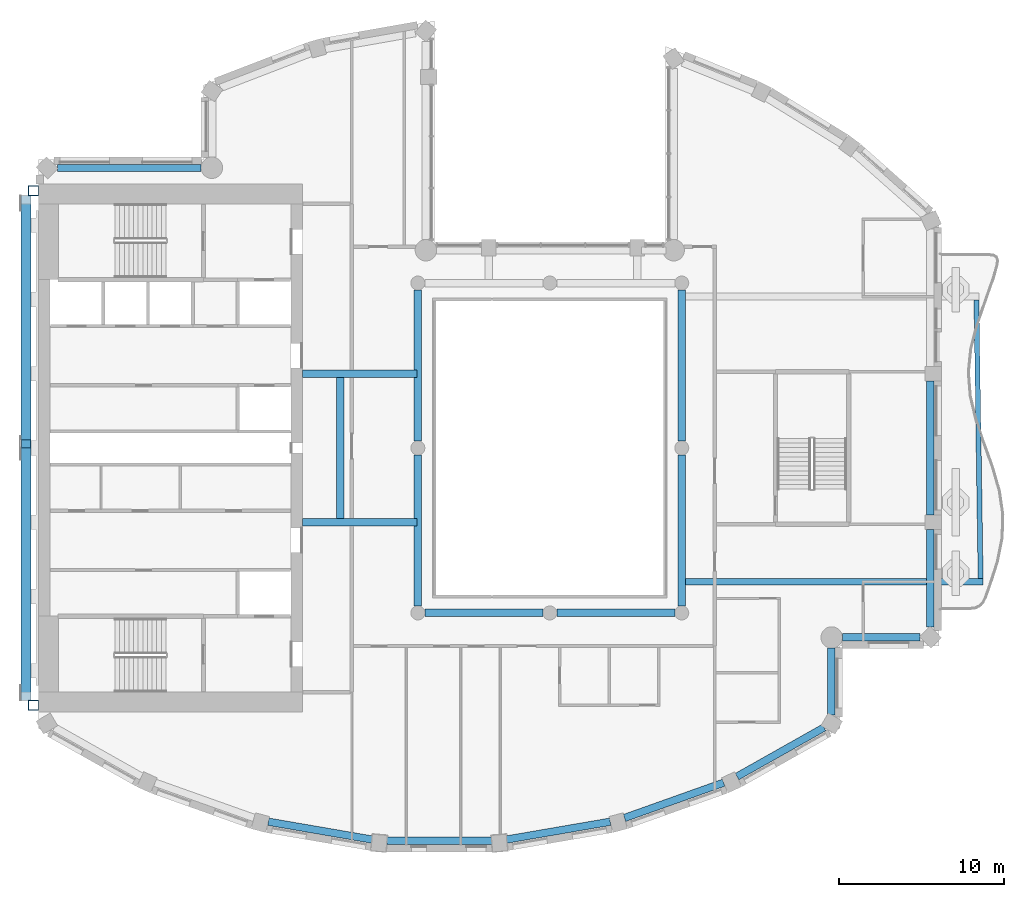
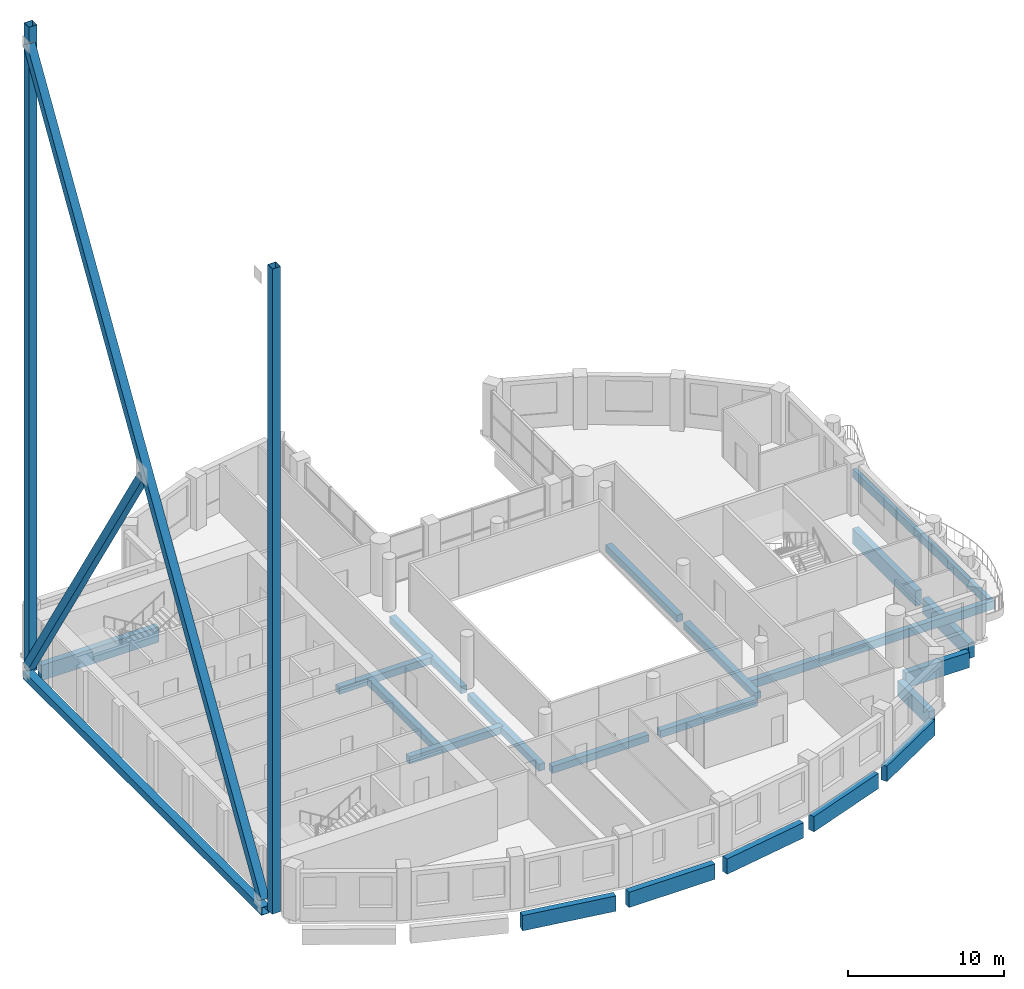
# One storey, part 2 of 18: 21 beams, 5 members.
"""IFC4 building model written with IfcOpenShell, lengths in metres."""

from ifc_helpers import new_model, si_unit, direction, frame, origin, origin_2d, place, context, subcontext, project, spatial, rectangle, hollow_rectangle, extrude, material, material_profile, profile_set, type_object, element, save


model = new_model("IFC4")

# Units and contexts
model_context = context("Model", 3, precision=1e-05, world=origin(), true_north=direction((0.0, 1.0)))
body_context = subcontext(model_context, "Body", "Model", "MODEL_VIEW")
ifc_project = project(units=[si_unit("LENGTHUNIT", "METRE"), si_unit("AREAUNIT", "SQUARE_METRE"), si_unit("VOLUMEUNIT", "CUBIC_METRE"), si_unit("PLANEANGLEUNIT", "RADIAN"), si_unit("MASSUNIT", "GRAM", prefix="KILO")], contexts=[model_context])

# Site, building, storey
site_placement = place(None, origin())
site = spatial("IfcSite", under=ifc_project, at=site_placement, CompositionType="ELEMENT")
building_placement = place(site_placement, origin())
building = spatial("IfcBuilding", under=site, at=building_placement, Name="Cypress Arch Tower", CompositionType="ELEMENT")
storey_placement = place(building_placement, frame((0.0, 0.0, 288.5)))
storey = spatial("IfcBuildingStorey", under=building, at=storey_placement, Name="L65", CompositionType="ELEMENT", Elevation=288.5)

# Beams
ifc_material_1 = material(Name="Concrete C50/60", Category="concrete")
ifc_material_profile_1 = material_profile(ifc_material_1, rectangle(XDim=0.300048828125, YDim=0.64990234375, at=origin_2d()), Name="RC 300x650")
ifc_profile_set_1 = profile_set([ifc_material_profile_1], Name="Concrete C50/60")
beam_type_1 = type_object("IfcBeamType", Name="Balcony edge beam RC 300x650 Concrete C50/60", PredefinedType="BEAM", material=ifc_profile_set_1)
beam_1_placement = place(storey_placement, frame((27.117431640625, -7.89990234375, -0.625), z_axis=(-0.015037850532, 0.999886925133, 0.0), x_axis=(-0.999886925133, -0.015037850532, 0.0)))
element("IfcBeam", 1, at=beam_1_placement, inside=storey, type_object=beam_type_1, Name="Balcony edge beam L65 C17", PredefinedType="BEAM", context=body_context, shape_type="SweptSolid", body=[
    extrude(rectangle(XDim=0.300048828125, YDim=0.64990234375, at=origin_2d()), origin(), (0.0, 0.0, 1.0), 16.884521484375),
])
ifc_material_2 = material(Name="Concrete C50/60", Category="concrete")
ifc_material_profile_2 = material_profile(ifc_material_2, rectangle(XDim=0.39990234375, YDim=0.64990234375, at=origin_2d()), Name="RC 400x650")
ifc_profile_set_2 = profile_set([ifc_material_profile_2], Name="Concrete C50/60")
beam_type_2 = type_object("IfcBeamType", Name="Cantilever beam RC 400x650 Concrete C50/60", PredefinedType="BEAM", material=ifc_profile_set_2)
beam_2_placement = place(storey_placement, frame((9.22509765625, -8.10009765625, -0.625), z_axis=(1.0, 0.0, 0.0), x_axis=(0.0, 1.0, 0.0)))
element("IfcBeam", 2, at=beam_2_placement, inside=storey, type_object=beam_type_2, Name="Cantilever beam L65 C17 1", PredefinedType="BEAM", context=body_context, shape_type="SweptSolid", body=[
    extrude(rectangle(XDim=0.39990234375, YDim=0.64990234375, at=origin_2d()), origin(), (0.0, 0.0, 1.0), 18.04248046875),
])
ifc_material_3 = material(Name="Concrete C50/60", Category="concrete")
ifc_material_profile_3 = material_profile(ifc_material_3, rectangle(XDim=0.449951171875, YDim=0.550048828125, at=origin_2d()), Name="RC 450x550")
ifc_profile_set_3 = profile_set([ifc_material_profile_3], Name="Concrete C50/60")
beam_type_3 = type_object("IfcBeamType", Name="Floor beam RC 450x550 Concrete C50/60", PredefinedType="BEAM", material=ifc_profile_set_3)
for number, where, z_axis, x_axis, name in (
    (3, (-7.0, -9.574951171875, -0.574951171875), (0.0, 1.0, 0.0), (-1.0, 0.0, 0.0), "Floor beam L65 RB001"),
    (4, (-7.0, 0.425048828125, -0.574951171875), (0.0, 1.0, 0.0), (-1.0, 0.0, 0.0), "Floor beam L65 RB002"),
    (5, (9.0, -9.574951171875, -0.574951171875), (0.0, 1.0, 0.0), (-1.0, 0.0, 0.0), "Floor beam L65 RB003"),
    (6, (9.0, 0.425048828125, -0.574951171875), (0.0, 1.0, 0.0), (-1.0, 0.0, 0.0), "Floor beam L65 RB004"),
):
    element("IfcBeam", number, at=place(storey_placement, frame(where, z_axis=z_axis, x_axis=x_axis)), inside=storey, type_object=beam_type_3, Name=name, PredefinedType="BEAM", context=body_context, shape_type="SweptSolid", body=[
        extrude(rectangle(XDim=0.449951171875, YDim=0.550048828125, at=origin_2d()), origin(), (0.0, 0.0, 1.0), 9.14990234375),
    ])
for number, where, z_axis, x_axis, name in (
    (7, (-6.574951171875, -10.0, -0.574951171875), (1.0, 0.0, 0.0), (0.0, 1.0, 0.0), "Floor beam L65 RB005"),
    (8, (1.425048828125, -10.0, -0.574951171875), (1.0, 0.0, 0.0), (0.0, 1.0, 0.0), "Floor beam L65 RB006"),
):
    element("IfcBeam", number, at=place(storey_placement, frame(where, z_axis=z_axis, x_axis=x_axis)), inside=storey, type_object=beam_type_3, Name=name, PredefinedType="BEAM", context=body_context, shape_type="SweptSolid", body=[
        extrude(rectangle(XDim=0.449951171875, YDim=0.550048828125, at=origin_2d()), origin(), (0.0, 0.0, 1.0), 7.14990234375),
    ])
for number, where, z_axis, x_axis, name in (
    (9, (-14.0, -4.5, -0.574951171875), (1.0, 0.0, 0.0), (0.0, 1.0, 0.0), "Floor beam L65 FB009"),
    (10, (-14.0, 4.5, -0.574951171875), (1.0, 0.0, 0.0), (0.0, 1.0, 0.0), "Floor beam L65 FB010"),
):
    element("IfcBeam", number, at=place(storey_placement, frame(where, z_axis=z_axis, x_axis=x_axis)), inside=storey, type_object=beam_type_3, Name=name, PredefinedType="BEAM", context=body_context, shape_type="SweptSolid", body=[
        extrude(rectangle(XDim=0.449951171875, YDim=0.550048828125, at=origin_2d()), origin(), (0.0, 0.0, 1.0), 6.949951171875),
    ])
beam_3_placement = place(storey_placement, frame((-11.699951171875, -4.27490234375, -0.574951171875), z_axis=(0.0, 1.0, 0.0), x_axis=(-1.0, 0.0, 0.0)))
element("IfcBeam", 11, at=beam_3_placement, inside=storey, type_object=beam_type_3, Name="Floor beam L65 FB011", PredefinedType="BEAM", context=body_context, shape_type="SweptSolid", body=[
    extrude(rectangle(XDim=0.449951171875, YDim=0.550048828125, at=origin_2d()), origin(), (0.0, 0.0, 1.0), 8.5498046875),
])
ifc_material_4 = material(Name="Concrete C50/60", Category="concrete")
ifc_material_profile_4 = material_profile(ifc_material_4, rectangle(XDim=0.449951171875, YDim=1.199951171875, at=origin_2d()), Name="RC 450x1200")
ifc_profile_set_4 = profile_set([ifc_material_profile_4], Name="Concrete C50/60")
beam_type_4 = type_object("IfcBeamType", Name="Spandrel beam RC 450x1200 Concrete C50/60", PredefinedType="SPANDREL", material=ifc_profile_set_4)
beam_4_placement = place(storey_placement, frame((-20.137451171875, 16.97509765625, -1.550048828125), z_axis=(-1.0, 0.0, 0.0), x_axis=(0.0, -1.0, 0.0)))
element("IfcBeam", 12, at=beam_4_placement, inside=storey, type_object=beam_type_4, Name="Spandrel beam L65 BC06-0", PredefinedType="SPANDREL", context=body_context, shape_type="SweptSolid", body=[
    extrude(rectangle(XDim=0.449951171875, YDim=1.199951171875, at=origin_2d()), origin(), (0.0, 0.0, 1.0), 8.701171875),
])
beam_5_placement = place(storey_placement, frame((-16.061279296875, -22.656982421875, -1.550048828125), z_axis=(0.985502990778, -0.169658053646, 0.0), x_axis=(0.169658053646, 0.985502990778, 0.0)))
element("IfcBeam", 13, at=beam_5_placement, inside=storey, type_object=beam_type_4, Name="Spandrel beam L65 BC10-0", PredefinedType="SPANDREL", context=body_context, shape_type="SweptSolid", body=[
    extrude(rectangle(XDim=0.449951171875, YDim=1.199951171875, at=origin_2d()), origin(), (0.0, 0.0, 1.0), 6.373291015625),
])
beam_6_placement = place(storey_placement, frame((-8.883544921875, -23.81494140625, -1.550048828125), z_axis=(1.0, 0.0, 0.0), x_axis=(0.0, 1.0, 0.0)))
element("IfcBeam", 14, at=beam_6_placement, inside=storey, type_object=beam_type_4, Name="Spandrel beam L65 BC11-0", PredefinedType="SPANDREL", context=body_context, shape_type="SweptSolid", body=[
    extrude(rectangle(XDim=0.449951171875, YDim=1.199951171875, at=origin_2d()), origin(), (0.0, 0.0, 1.0), 6.366943359375),
])
beam_7_placement = place(storey_placement, frame((-1.619873046875, -23.73828125, -1.550048828125), z_axis=(0.985504093315, 0.169651649149, 0.0), x_axis=(-0.169651649149, 0.985504093315, 0.0)))
element("IfcBeam", 15, at=beam_7_placement, inside=storey, type_object=beam_type_4, Name="Spandrel beam L65 BC12-0", PredefinedType="SPANDREL", context=body_context, shape_type="SweptSolid", body=[
    extrude(rectangle(XDim=0.449951171875, YDim=1.199951171875, at=origin_2d()), origin(), (0.0, 0.0, 1.0), 6.37353515625),
])
beam_8_placement = place(storey_placement, frame((5.531982421875, -22.4287109375, -1.550048828125), z_axis=(0.942115759102, 0.335287781541, 0.0), x_axis=(-0.335287781541, 0.942115759102, 0.0)))
element("IfcBeam", 16, at=beam_8_placement, inside=storey, type_object=beam_type_4, Name="Spandrel beam L65 BC13-0", PredefinedType="SPANDREL", context=body_context, shape_type="SweptSolid", body=[
    extrude(rectangle(XDim=0.449951171875, YDim=1.199951171875, at=origin_2d()), origin(), (0.0, 0.0, 1.0), 6.372802734375),
])
beam_9_placement = place(storey_placement, frame((12.35498046875, -19.918701171875, -1.550048828125), z_axis=(0.871059543975, 0.491177433165, 0.0), x_axis=(-0.491177433165, 0.871059543975, 0.0)))
element("IfcBeam", 17, at=beam_9_placement, inside=storey, type_object=beam_type_4, Name="Spandrel beam L65 BC14-0", PredefinedType="SPANDREL", context=body_context, shape_type="SweptSolid", body=[
    extrude(rectangle(XDim=0.449951171875, YDim=1.199951171875, at=origin_2d()), origin(), (0.0, 0.0, 1.0), 6.045654296875),
])
beam_10_placement = place(storey_placement, frame((18.074951171875, -16.172119140625, -1.550048828125), z_axis=(0.0, 1.0, 0.0), x_axis=(-1.0, 0.0, 0.0)))
element("IfcBeam", 18, at=beam_10_placement, inside=storey, type_object=beam_type_4, Name="Spandrel beam L65 BC15-0", PredefinedType="SPANDREL", context=body_context, shape_type="SweptSolid", body=[
    extrude(rectangle(XDim=0.449951171875, YDim=1.199951171875, at=origin_2d()), origin(), (0.0, 0.0, 1.0), 4.03466796875),
])
beam_11_placement = place(storey_placement, frame((18.737548828125, -11.47509765625, -1.550048828125), z_axis=(1.0, 0.0, 0.0), x_axis=(0.0, 1.0, 0.0)))
element("IfcBeam", 19, at=beam_11_placement, inside=storey, type_object=beam_type_4, Name="Spandrel beam L65 BC16-0", PredefinedType="SPANDREL", context=body_context, shape_type="SweptSolid", body=[
    extrude(rectangle(XDim=0.449951171875, YDim=1.199951171875, at=origin_2d()), origin(), (0.0, 0.0, 1.0), 4.701171875),
])
beam_12_placement = place(storey_placement, frame((24.074951171875, -10.838623046875, -1.550048828125), z_axis=(0.0, 1.0, 0.0), x_axis=(-1.0, 0.0, 0.0)))
element("IfcBeam", 20, at=beam_12_placement, inside=storey, type_object=beam_type_4, Name="Spandrel beam L65 BC17-0", PredefinedType="SPANDREL", context=body_context, shape_type="SweptSolid", body=[
    extrude(rectangle(XDim=0.449951171875, YDim=1.199951171875, at=origin_2d()), origin(), (0.0, 0.0, 1.0), 5.888671875),
])
beam_13_placement = place(storey_placement, frame((24.074951171875, -4.050048828125, -1.550048828125), z_axis=(0.0, 1.0, 0.0), x_axis=(-1.0, 0.0, 0.0)))
element("IfcBeam", 21, at=beam_13_placement, inside=storey, type_object=beam_type_4, Name="Spandrel beam L65 BC17-1", PredefinedType="SPANDREL", context=body_context, shape_type="SweptSolid", body=[
    extrude(rectangle(XDim=0.449951171875, YDim=1.199951171875, at=origin_2d()), origin(), (0.0, 0.0, 1.0), 8.10009765625),
])

# Members
ifc_material_5 = material(Name="Steel ASTM A501 Grade B", Category="steel")
ifc_material_profile_5 = material_profile(ifc_material_5, hollow_rectangle(XDim=0.609619140625, YDim=0.609619140625, WallThickness=0.023681640625, at=origin_2d()), Name="HSS 24x24x1")
ifc_profile_set_5 = profile_set([ifc_material_profile_5], Name="Steel ASTM A501 Grade B")
member_type_1 = type_object("IfcMemberType", Name="West bracing chord HSS 24x24x1 Steel ASTM A501 Grade B", PredefinedType="CHORD", material=ifc_profile_set_5)
member_1_placement = place(storey_placement, frame((-30.7548828125, -15.295166015625, 0.0), z_axis=(0.0, 1.0, 0.0), x_axis=(-1.0, 0.0, 0.0)))
element("IfcMember", 22, at=member_1_placement, inside=storey, type_object=member_type_1, Name="West bracing chord 6", PredefinedType="CHORD", context=body_context, shape_type="SweptSolid", body=[
    extrude(hollow_rectangle(XDim=0.609619140625, YDim=0.609619140625, WallThickness=0.023681640625, at=origin_2d()), origin(), (0.0, 0.0, 1.0), 30.59033203125),
])
ifc_material_6 = material(Name="Steel ASTM A501 Grade B", Category="steel")
ifc_material_profile_6 = material_profile(ifc_material_6, hollow_rectangle(XDim=0.609619140625, YDim=0.609619140625, WallThickness=0.023681640625, at=origin_2d()), Name="HSS 24x24x1")
ifc_profile_set_6 = profile_set([ifc_material_profile_6], Name="Steel ASTM A501 Grade B")
member_type_2 = type_object("IfcMemberType", Name="West bracing diagonal HSS 24x24x1 Steel ASTM A501 Grade B", PredefinedType="BRACE", material=ifc_profile_set_6)
member_2_placement = place(storey_placement, frame((-30.7548828125, -15.036376953125, 0.724365234375), z_axis=(0.0, 0.525046961653, 0.851073256576), x_axis=(-1.0, 0.0, 0.0)))
element("IfcMember", 23, at=member_2_placement, inside=storey, type_object=member_type_2, Name="West bracing diagonal 6A", PredefinedType="BRACE", context=body_context, shape_type="SweptSolid", body=[
    extrude(hollow_rectangle(XDim=0.609619140625, YDim=0.609619140625, WallThickness=0.023681640625, at=origin_2d()), origin(), (0.0, 0.0, 1.0), 57.2763671875),
])
member_3_placement = place(storey_placement, frame((-30.7548828125, 15.036376953125, 0.724365234375), z_axis=(0.0, -0.525049579326, 0.851071641667), x_axis=(1.0, 0.0, 0.0)))
element("IfcMember", 24, at=member_3_placement, inside=storey, type_object=member_type_2, Name="West bracing diagonal 6C", PredefinedType="BRACE", context=body_context, shape_type="SweptSolid", body=[
    extrude(hollow_rectangle(XDim=0.609619140625, YDim=0.609619140625, WallThickness=0.023681640625, at=origin_2d()), origin(), (0.0, 0.0, 1.0), 28.144775390625),
])
ifc_material_7 = material(Name="Steel ASTM A501 Grade B", Category="steel")
ifc_material_profile_7 = material_profile(ifc_material_7, hollow_rectangle(XDim=0.609619140625, YDim=0.609619140625, WallThickness=0.023681640625, at=origin_2d()), Name="HSS 24x24x1")
ifc_profile_set_7 = profile_set([ifc_material_profile_7], Name="Steel ASTM A501 Grade B")
member_type_3 = type_object("IfcMemberType", Name="West bracing post HSS 24x24x1 Steel ASTM A501 Grade B", PredefinedType="POST", material=ifc_profile_set_7)
for number, where, z_axis, x_axis, name in (
    (25, (-30.3046875, -15.60009765625, 0.0), (0.0, 0.0, 1.0), (1.0, 0.0, 0.0), "West bracing post 6S"),
    (26, (-30.3046875, 15.60009765625, 0.0), (0.0, 0.0, 1.0), (1.0, 0.0, 0.0), "West bracing post 6N"),
):
    element("IfcMember", number, at=place(storey_placement, frame(where, z_axis=z_axis, x_axis=x_axis)), inside=storey, type_object=member_type_3, Name=name, PredefinedType="POST", context=body_context, shape_type="SweptSolid", body=[
        extrude(hollow_rectangle(XDim=0.609619140625, YDim=0.609619140625, WallThickness=0.023681640625, at=origin_2d()), origin(), (0.0, 0.0, 1.0), 50.5),
    ])

save(model, "model.ifc")
